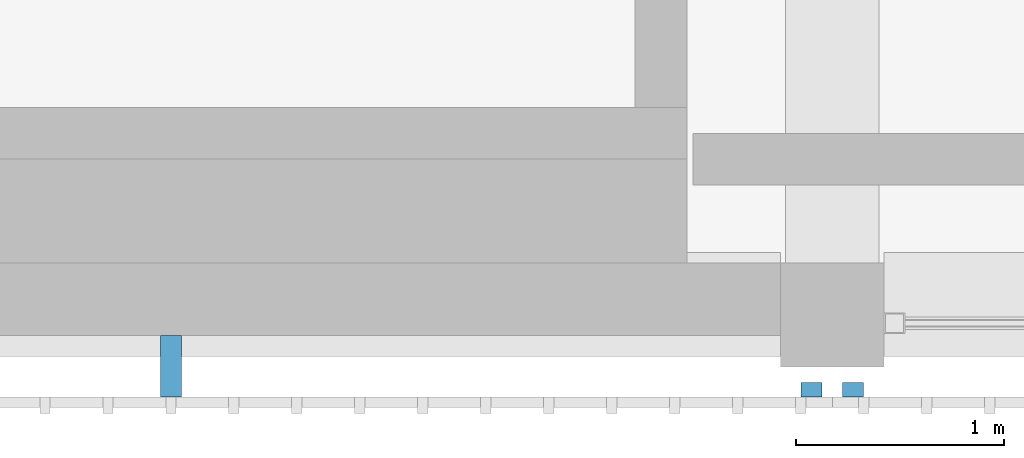
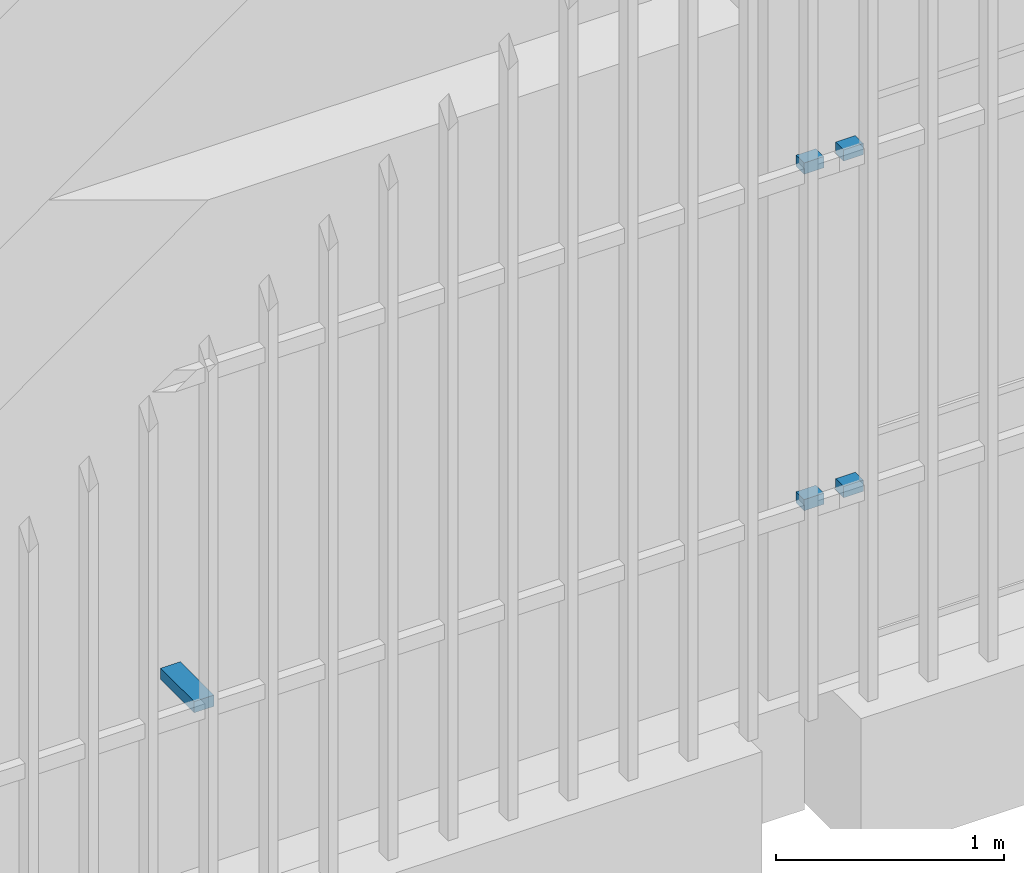
# One storey, part 103 of 139: 5 discrete accessories.
"""IFC4 building model written with IfcOpenShell, lengths in metres."""

from ifc_helpers import new_model, si_unit, direction, frame, origin, origin_2d, place, context, subcontext, project, spatial, rectangle, extrude, material, type_object, element, save


model = new_model("IFC4")

# Units and contexts
model_context = context("Model", 3, precision=1e-05, world=origin(), true_north=direction((0.0, 1.0)))
body_context = subcontext(model_context, "Body", "Model", "MODEL_VIEW")
ifc_project = project(units=[si_unit("LENGTHUNIT", "METRE"), si_unit("AREAUNIT", "SQUARE_METRE"), si_unit("VOLUMEUNIT", "CUBIC_METRE"), si_unit("PLANEANGLEUNIT", "RADIAN"), si_unit("MASSUNIT", "GRAM", prefix="KILO")], contexts=[model_context])

# Site, building, storey
site_placement = place(None, origin())
site = spatial("IfcSite", under=ifc_project, at=site_placement, CompositionType="ELEMENT")
building_placement = place(site_placement, origin())
building = spatial("IfcBuilding", under=site, at=building_placement, Name="Shirokan Park Arena", CompositionType="ELEMENT")
storey_placement = place(building_placement, frame((0.0, 0.0, 15.469970703125)))
storey = spatial("IfcBuildingStorey", under=building, at=storey_placement, Name="L03", CompositionType="ELEMENT", Elevation=15.469970703125)

# Discrete accessories
ifc_material = material(Name="Steel S355", Category="steel")
discrete_accessory_type = type_object("IfcDiscreteAccessoryType", Name="Veil bracket 100x60", PredefinedType="BRACKET", material=ifc_material)
for number, where, z_axis, x_axis, name in (
    (1, (127.300048828125, -0.409912109375, 1.070068359375), (0.0, 0.0, 1.0), (1.0, 0.0, 0.0), "Veil bracket south bay 14 L03 2"),
    (2, (127.300048828125, -0.409912109375, 2.8701171875), (0.0, 0.0, 1.0), (1.0, 0.0, 0.0), "Veil bracket south bay 14 L03 4"),
):
    element("IfcDiscreteAccessory", number, at=place(storey_placement, frame(where, z_axis=z_axis, x_axis=x_axis)), inside=storey, type_object=discrete_accessory_type, Name=name, PredefinedType="BRACKET", context=body_context, shape_type="SweptSolid", body=[
        extrude(rectangle(XDim=0.10009765625, YDim=0.070068359375, at=origin_2d()), origin(), (0.0, 0.0, 1.0), 0.06005859375),
    ])
discrete_accessory_placement = place(storey_placement, frame((124.215087890625, -0.297607421875, 1.070068359375), z_axis=(0.0, 0.0, 1.0), x_axis=(1.0, 0.0, 0.0)))
element("IfcDiscreteAccessory", 3, at=discrete_accessory_placement, inside=storey, type_object=discrete_accessory_type, Name="Veil bracket south bay 14 L03 wall 2", PredefinedType="BRACKET", context=body_context, shape_type="SweptSolid", body=[
    extrude(rectangle(XDim=0.10009765625, YDim=0.294921875, at=origin_2d()), origin(), (0.0, 0.0, 1.0), 0.06005859375),
])
for number, where, z_axis, x_axis, name in (
    (4, (127.5, -0.409912109375, 1.070068359375), (0.0, 0.0, 1.0), (1.0, 0.0, 0.0), "Veil bracket south bay 15 L03 1"),
    (5, (127.5, -0.409912109375, 2.8701171875), (0.0, 0.0, 1.0), (1.0, 0.0, 0.0), "Veil bracket south bay 15 L03 3"),
):
    element("IfcDiscreteAccessory", number, at=place(storey_placement, frame(where, z_axis=z_axis, x_axis=x_axis)), inside=storey, type_object=discrete_accessory_type, Name=name, PredefinedType="BRACKET", context=body_context, shape_type="SweptSolid", body=[
        extrude(rectangle(XDim=0.10009765625, YDim=0.070068359375, at=origin_2d()), origin(), (0.0, 0.0, 1.0), 0.06005859375),
    ])

save(model, "model.ifc")
